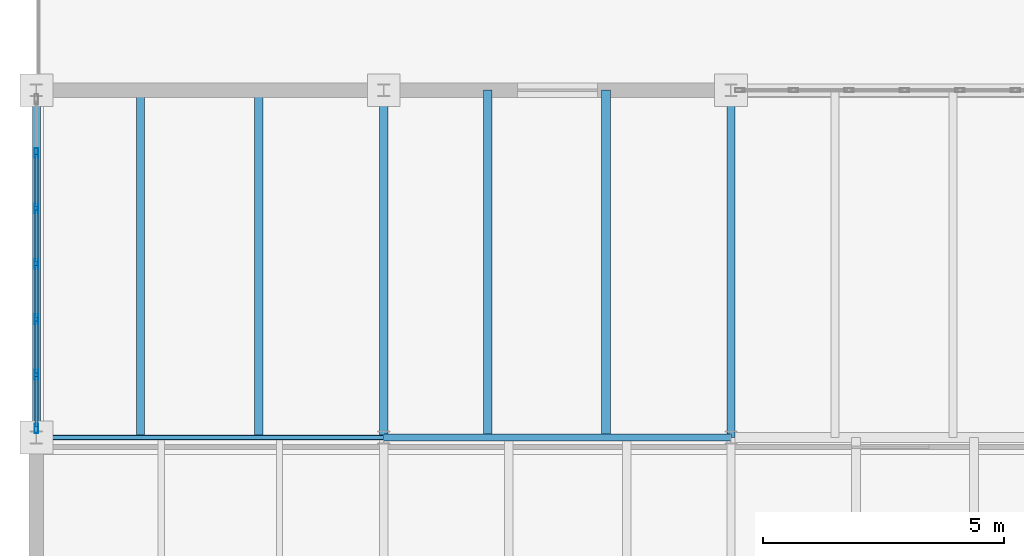
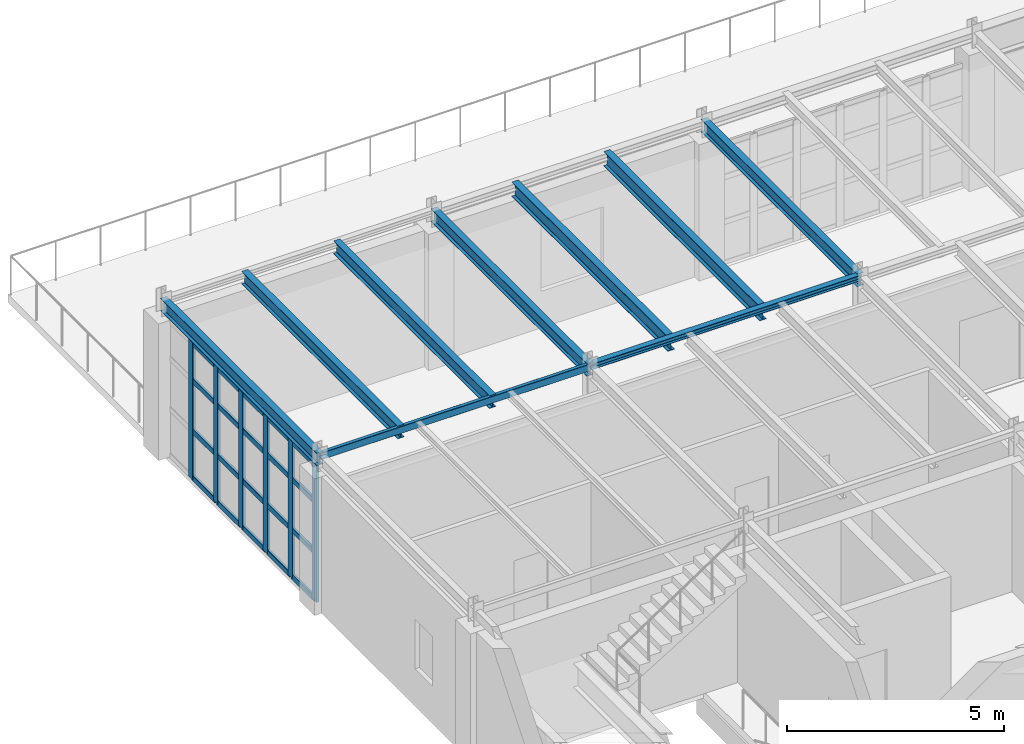
# One storey, part 20 of 36: 26 members, 9 beams, 1 element without a shape of its own.
"""IFC4 building model written with IfcOpenShell, lengths in metres."""

from ifc_helpers import new_model, si_unit, direction, frame, origin, origin_2d, place, context, subcontext, project, spatial, hollow_rectangle, i_section, extrude, material, layer, layer_set, material_profile, profile_set, type_object, element, aggregate, save


model = new_model("IFC4")

# Units and contexts
model_context = context("Model", 3, precision=1e-05, world=origin(), true_north=direction((0.0, 1.0)))
body_context = subcontext(model_context, "Body", "Model", "MODEL_VIEW")
ifc_project = project(units=[si_unit("LENGTHUNIT", "METRE"), si_unit("AREAUNIT", "SQUARE_METRE"), si_unit("VOLUMEUNIT", "CUBIC_METRE"), si_unit("PLANEANGLEUNIT", "RADIAN"), si_unit("MASSUNIT", "GRAM", prefix="KILO")], contexts=[model_context])

# Site, building, storey
site_placement = place(None, origin())
site = spatial("IfcSite", under=ifc_project, at=site_placement, CompositionType="ELEMENT")
building_placement = place(site_placement, origin())
building = spatial("IfcBuilding", under=site, at=building_placement, Name="Kemerveld Promenade Tramway Depot", CompositionType="ELEMENT")
storey_placement = place(building_placement, frame((0.0, 0.0, 14.39990234375)))
storey = spatial("IfcBuildingStorey", under=building, at=storey_placement, Name="L03", CompositionType="ELEMENT", Elevation=14.39990234375)

# Beams
ifc_material_1 = material(Name="Steel S355", Category="steel")
ifc_material_profile_1 = material_profile(ifc_material_1, i_section(OverallWidth=0.172119140625, OverallDepth=0.35791015625, WebThickness=0.008056640625, FlangeThickness=0.012939453125, FilletRadius=0.01025390625, at=origin_2d()), Name="356x171x57 UB")
ifc_profile_set_1 = profile_set([ifc_material_profile_1], Name="Steel S355")
beam_type_1 = type_object("IfcBeamType", Name="BM-G08", PredefinedType="BEAM", material=ifc_profile_set_1)
for number, where, z_axis, x_axis, name in (
    (1, (0.0, 57.60009765625, 4.106201171875), (0.0, 1.0, 0.0), (-1.0, 0.0, 0.0), "BMY-L03-01-J-K"),
    (2, (7.199951171875, 57.60009765625, 4.106201171875), (0.0, 1.0, 0.0), (-1.0, 0.0, 0.0), "BMY-L03-02-J-K"),
    (3, (14.39990234375, 57.60009765625, 4.106201171875), (0.0, 1.0, 0.0), (-1.0, 0.0, 0.0), "BMY-L03-03-J-K"),
):
    element("IfcBeam", number, at=place(storey_placement, frame(where, z_axis=z_axis, x_axis=x_axis)), inside=storey, type_object=beam_type_1, Name=name, PredefinedType="BEAM", context=body_context, shape_type="SweptSolid", body=[
        extrude(i_section(OverallWidth=0.172119140625, OverallDepth=0.35791015625, WebThickness=0.008056640625, FlangeThickness=0.012939453125, FilletRadius=0.01025390625, at=origin_2d()), origin(), (0.0, 0.0, 1.0), 7.199951171875),
    ])
ifc_material_profile_2 = material_profile(ifc_material_1, i_section(OverallWidth=0.172119140625, OverallDepth=0.35791015625, WebThickness=0.008056640625, FlangeThickness=0.012939453125, FilletRadius=0.01025390625, at=origin_2d()), Name="356x171x57 UB")
ifc_profile_set_2 = profile_set([ifc_material_profile_2], Name="Steel S355")
beam_type_2 = type_object("IfcBeamType", Name="BM-J04", PredefinedType="JOIST", material=ifc_profile_set_2)
for number, where, z_axis, x_axis, name in (
    (4, (2.159912109375, 57.60009765625, 4.106201171875), (0.0, 1.0, 0.0), (-1.0, 0.0, 0.0), "JST-L03-01-J-1"),
    (5, (4.60791015625, 57.60009765625, 4.106201171875), (0.0, 1.0, 0.0), (-1.0, 0.0, 0.0), "JST-L03-01-J-2"),
):
    element("IfcBeam", number, at=place(storey_placement, frame(where, z_axis=z_axis, x_axis=x_axis)), inside=storey, type_object=beam_type_2, Name=name, PredefinedType="JOIST", context=body_context, shape_type="SweptSolid", body=[
        extrude(i_section(OverallWidth=0.172119140625, OverallDepth=0.35791015625, WebThickness=0.008056640625, FlangeThickness=0.012939453125, FilletRadius=0.01025390625, at=origin_2d()), origin(), (0.0, 0.0, 1.0), 7.199951171875),
    ])
ifc_material_profile_3 = material_profile(ifc_material_1, i_section(OverallWidth=0.1787109375, OverallDepth=0.409423828125, WebThickness=0.0087890625, FlangeThickness=0.014404296875, FilletRadius=0.01025390625, at=origin_2d()), Name="406x178x67 UB")
ifc_profile_set_3 = profile_set([ifc_material_profile_3], Name="Steel S355")
beam_type_3 = type_object("IfcBeamType", Name="BM-J05", PredefinedType="JOIST", material=ifc_profile_set_3)
for number, where, z_axis, x_axis, name in (
    (6, (9.360107421875, 57.60009765625, 4.080322265625), (0.0, 1.0, 0.0), (-1.0, 0.0, 0.0), "JST-L03-02-J-1"),
    (7, (11.80810546875, 57.60009765625, 4.080322265625), (0.0, 1.0, 0.0), (-1.0, 0.0, 0.0), "JST-L03-02-J-2"),
):
    element("IfcBeam", number, at=place(storey_placement, frame(where, z_axis=z_axis, x_axis=x_axis)), inside=storey, type_object=beam_type_3, Name=name, PredefinedType="JOIST", context=body_context, shape_type="SweptSolid", body=[
        extrude(i_section(OverallWidth=0.1787109375, OverallDepth=0.409423828125, WebThickness=0.0087890625, FlangeThickness=0.014404296875, FilletRadius=0.01025390625, at=origin_2d()), origin(), (0.0, 0.0, 1.0), 7.199951171875),
    ])
ifc_material_profile_4 = material_profile(ifc_material_1, hollow_rectangle(XDim=0.10009765625, YDim=0.199951171875, WallThickness=0.008056640625, InnerFilletRadius=0.00390625, OuterFilletRadius=0.011962890625, at=origin_2d()), Name="200x100x8.0 RHS")
ifc_profile_set_4 = profile_set([ifc_material_profile_4], Name="Steel S355")
beam_type_4 = type_object("IfcBeamType", Name="BM-LN1", PredefinedType="LINTEL", material=ifc_profile_set_4)
beam_1_placement = place(storey_placement, frame((0.0, 57.60009765625, 4.18505859375), z_axis=(1.0, 0.0, 0.0), x_axis=(0.0, 1.0, 0.0)))
element("IfcBeam", 8, at=beam_1_placement, inside=storey, type_object=beam_type_4, Name="BMX-L03-01-02-J", PredefinedType="LINTEL", context=body_context, shape_type="SweptSolid", body=[
    extrude(hollow_rectangle(XDim=0.10009765625, YDim=0.199951171875, WallThickness=0.008056640625, InnerFilletRadius=0.00390625, OuterFilletRadius=0.011962890625, at=origin_2d()), origin(), (0.0, 0.0, 1.0), 7.199951171875),
])
ifc_material_profile_5 = material_profile(ifc_material_1, i_section(OverallWidth=0.154296875, OverallDepth=0.161865234375, WebThickness=0.008056640625, FlangeThickness=0.011474609375, FilletRadius=0.007568359375, at=origin_2d()), Name="152x152x37 UC")
ifc_profile_set_5 = profile_set([ifc_material_profile_5], Name="Steel S355")
beam_type_5 = type_object("IfcBeamType", Name="BM-LN2", PredefinedType="LINTEL", material=ifc_profile_set_5)
beam_2_placement = place(storey_placement, frame((7.199951171875, 57.60009765625, 4.2041015625), z_axis=(1.0, 0.0, 0.0), x_axis=(0.0, 1.0, 0.0)))
element("IfcBeam", 9, at=beam_2_placement, inside=storey, type_object=beam_type_5, Name="BMX-L03-02-03-J", PredefinedType="LINTEL", context=body_context, shape_type="SweptSolid", body=[
    extrude(i_section(OverallWidth=0.154296875, OverallDepth=0.161865234375, WebThickness=0.008056640625, FlangeThickness=0.011474609375, FilletRadius=0.007568359375, at=origin_2d()), origin(), (0.0, 0.0, 1.0), 7.199951171875),
])

# Curtain wall, members
ifc_material_2 = material(Name="Bronze anodised aluminium and solar glass", Category="aluminium")
ifc_layer = layer(ifc_material_2, 0.199951171875)
ifc_layer_set = layer_set([ifc_layer], Name="CW-SYS-12")
curtain_wall_type = type_object("IfcCurtainWallType", Name="CW-SYS-12", PredefinedType="USERDEFINED", material=ifc_layer_set)
curtain_wall_placement = place(storey_placement, origin())
curtain_wall = element("IfcCurtainWall", 10, at=curtain_wall_placement, inside=storey, type_object=curtain_wall_type, Name="CW-L03-V5W-09", ObjectType="GLAZED_CURTAIN_WALL", PredefinedType="USERDEFINED")
ifc_material_3 = material(Name="Bronze anodised aluminium", Category="aluminium")
ifc_material_profile_6 = material_profile(ifc_material_3, hollow_rectangle(XDim=0.074951171875, YDim=0.199951171875, WallThickness=0.0048828125, InnerFilletRadius=0.001953125, OuterFilletRadius=0.0048828125, at=origin_2d()), Name="CW-MUL-200x75")
ifc_profile_set_6 = profile_set([ifc_material_profile_6], Name="Bronze anodised aluminium")
member_type_1 = type_object("IfcMemberType", Name="CW-MUL-B", PredefinedType="MULLION", material=ifc_profile_set_6)
member_1_placement = place(storey_placement, frame((0.0, 57.78759765625, 0.0), z_axis=(0.0, 0.0, 1.0), x_axis=(-1.0, 0.0, 0.0)))
member_1 = element("IfcMember", 11, at=member_1_placement, type_object=member_type_1, Name="CW12 mullion 1", PredefinedType="MULLION", context=body_context, shape_type="SweptSolid", body=[
    extrude(hollow_rectangle(XDim=0.074951171875, YDim=0.199951171875, WallThickness=0.0048828125, InnerFilletRadius=0.001953125, OuterFilletRadius=0.0048828125, at=origin_2d()), origin(), (0.0, 0.0, 1.0), 3.85009765625),
])
member_2_placement = place(storey_placement, frame((0.0, 58.900146484375, 0.0), z_axis=(0.0, 0.0, 1.0), x_axis=(-1.0, 0.0, 0.0)))
member_2 = element("IfcMember", 12, at=member_2_placement, type_object=member_type_1, Name="CW12 mullion 2", PredefinedType="MULLION", context=body_context, shape_type="SweptSolid", body=[
    extrude(hollow_rectangle(XDim=0.074951171875, YDim=0.199951171875, WallThickness=0.0048828125, InnerFilletRadius=0.001953125, OuterFilletRadius=0.0048828125, at=origin_2d()), origin(), (0.0, 0.0, 1.0), 3.85009765625),
])
member_3_placement = place(storey_placement, frame((0.0, 60.050048828125, 0.0), z_axis=(0.0, 0.0, 1.0), x_axis=(-1.0, 0.0, 0.0)))
member_3 = element("IfcMember", 13, at=member_3_placement, type_object=member_type_1, Name="CW12 mullion 3", PredefinedType="MULLION", context=body_context, shape_type="SweptSolid", body=[
    extrude(hollow_rectangle(XDim=0.074951171875, YDim=0.199951171875, WallThickness=0.0048828125, InnerFilletRadius=0.001953125, OuterFilletRadius=0.0048828125, at=origin_2d()), origin(), (0.0, 0.0, 1.0), 3.85009765625),
])
member_4_placement = place(storey_placement, frame((0.0, 61.199951171875, 0.0), z_axis=(0.0, 0.0, 1.0), x_axis=(-1.0, 0.0, 0.0)))
member_4 = element("IfcMember", 14, at=member_4_placement, type_object=member_type_1, Name="CW12 mullion 4", PredefinedType="MULLION", context=body_context, shape_type="SweptSolid", body=[
    extrude(hollow_rectangle(XDim=0.074951171875, YDim=0.199951171875, WallThickness=0.0048828125, InnerFilletRadius=0.001953125, OuterFilletRadius=0.0048828125, at=origin_2d()), origin(), (0.0, 0.0, 1.0), 3.85009765625),
])
member_5_placement = place(storey_placement, frame((0.0, 62.349853515625, 0.0), z_axis=(0.0, 0.0, 1.0), x_axis=(-1.0, 0.0, 0.0)))
member_5 = element("IfcMember", 15, at=member_5_placement, type_object=member_type_1, Name="CW12 mullion 5", PredefinedType="MULLION", context=body_context, shape_type="SweptSolid", body=[
    extrude(hollow_rectangle(XDim=0.074951171875, YDim=0.199951171875, WallThickness=0.0048828125, InnerFilletRadius=0.001953125, OuterFilletRadius=0.0048828125, at=origin_2d()), origin(), (0.0, 0.0, 1.0), 3.85009765625),
])
member_6_placement = place(storey_placement, frame((0.0, 63.5, 0.0), z_axis=(0.0, 0.0, 1.0), x_axis=(-1.0, 0.0, 0.0)))
member_6 = element("IfcMember", 16, at=member_6_placement, type_object=member_type_1, Name="CW12 mullion 6", PredefinedType="MULLION", context=body_context, shape_type="SweptSolid", body=[
    extrude(hollow_rectangle(XDim=0.074951171875, YDim=0.199951171875, WallThickness=0.0048828125, InnerFilletRadius=0.001953125, OuterFilletRadius=0.0048828125, at=origin_2d()), origin(), (0.0, 0.0, 1.0), 3.85009765625),
])
ifc_material_profile_7 = material_profile(ifc_material_3, hollow_rectangle(XDim=0.06494140625, YDim=0.14990234375, WallThickness=0.00439453125, InnerFilletRadius=0.001953125, OuterFilletRadius=0.00439453125, at=origin_2d()), Name="CW-TRN-150x65")
ifc_profile_set_7 = profile_set([ifc_material_profile_7], Name="Bronze anodised aluminium")
member_type_2 = type_object("IfcMemberType", Name="CW-TRN-B", PredefinedType="USERDEFINED", material=ifc_profile_set_7)
member_7_placement = place(storey_placement, frame((0.0, 57.8251953125, 0.03271484375), z_axis=(0.0, 1.0, 0.0), x_axis=(-1.0, 0.0, 0.0)))
member_7 = element("IfcMember", 17, at=member_7_placement, type_object=member_type_2, Name="CW12 transom 1.1", ObjectType="TRANSOM", PredefinedType="USERDEFINED", context=body_context, shape_type="SweptSolid", body=[
    extrude(hollow_rectangle(XDim=0.06494140625, YDim=0.14990234375, WallThickness=0.00439453125, InnerFilletRadius=0.001953125, OuterFilletRadius=0.00439453125, at=origin_2d()), origin(), (0.0, 0.0, 1.0), 1.037353515625),
])
member_8_placement = place(storey_placement, frame((0.0, 57.8251953125, 1.34814453125), z_axis=(0.0, 1.0, 0.0), x_axis=(-1.0, 0.0, 0.0)))
member_8 = element("IfcMember", 18, at=member_8_placement, type_object=member_type_2, Name="CW12 transom 1.2", ObjectType="TRANSOM", PredefinedType="USERDEFINED", context=body_context, shape_type="SweptSolid", body=[
    extrude(hollow_rectangle(XDim=0.06494140625, YDim=0.14990234375, WallThickness=0.00439453125, InnerFilletRadius=0.001953125, OuterFilletRadius=0.00439453125, at=origin_2d()), origin(), (0.0, 0.0, 1.0), 1.037353515625),
])
member_9_placement = place(storey_placement, frame((0.0, 57.8251953125, 2.772216796875), z_axis=(0.0, 1.0, 0.0), x_axis=(-1.0, 0.0, 0.0)))
member_9 = element("IfcMember", 19, at=member_9_placement, type_object=member_type_2, Name="CW12 transom 1.3", ObjectType="TRANSOM", PredefinedType="USERDEFINED", context=body_context, shape_type="SweptSolid", body=[
    extrude(hollow_rectangle(XDim=0.06494140625, YDim=0.14990234375, WallThickness=0.00439453125, InnerFilletRadius=0.001953125, OuterFilletRadius=0.00439453125, at=origin_2d()), origin(), (0.0, 0.0, 1.0), 1.037353515625),
])
member_10_placement = place(storey_placement, frame((0.0, 57.8251953125, 3.817626953125), z_axis=(0.0, 1.0, 0.0), x_axis=(-1.0, 0.0, 0.0)))
member_10 = element("IfcMember", 20, at=member_10_placement, type_object=member_type_2, Name="CW12 transom 1.4", ObjectType="TRANSOM", PredefinedType="USERDEFINED", context=body_context, shape_type="SweptSolid", body=[
    extrude(hollow_rectangle(XDim=0.06494140625, YDim=0.14990234375, WallThickness=0.00439453125, InnerFilletRadius=0.001953125, OuterFilletRadius=0.00439453125, at=origin_2d()), origin(), (0.0, 0.0, 1.0), 1.037353515625),
])
member_11_placement = place(storey_placement, frame((0.0, 58.9375, 0.03271484375), z_axis=(0.0, 1.0, 0.0), x_axis=(-1.0, 0.0, 0.0)))
member_11 = element("IfcMember", 21, at=member_11_placement, type_object=member_type_2, Name="CW12 transom 2.1", ObjectType="TRANSOM", PredefinedType="USERDEFINED", context=body_context, shape_type="SweptSolid", body=[
    extrude(hollow_rectangle(XDim=0.06494140625, YDim=0.14990234375, WallThickness=0.00439453125, InnerFilletRadius=0.001953125, OuterFilletRadius=0.00439453125, at=origin_2d()), origin(), (0.0, 0.0, 1.0), 1.074951171875),
])
member_12_placement = place(storey_placement, frame((0.0, 58.9375, 1.34814453125), z_axis=(0.0, 1.0, 0.0), x_axis=(-1.0, 0.0, 0.0)))
member_12 = element("IfcMember", 22, at=member_12_placement, type_object=member_type_2, Name="CW12 transom 2.2", ObjectType="TRANSOM", PredefinedType="USERDEFINED", context=body_context, shape_type="SweptSolid", body=[
    extrude(hollow_rectangle(XDim=0.06494140625, YDim=0.14990234375, WallThickness=0.00439453125, InnerFilletRadius=0.001953125, OuterFilletRadius=0.00439453125, at=origin_2d()), origin(), (0.0, 0.0, 1.0), 1.074951171875),
])
member_13_placement = place(storey_placement, frame((0.0, 58.9375, 2.772216796875), z_axis=(0.0, 1.0, 0.0), x_axis=(-1.0, 0.0, 0.0)))
member_13 = element("IfcMember", 23, at=member_13_placement, type_object=member_type_2, Name="CW12 transom 2.3", ObjectType="TRANSOM", PredefinedType="USERDEFINED", context=body_context, shape_type="SweptSolid", body=[
    extrude(hollow_rectangle(XDim=0.06494140625, YDim=0.14990234375, WallThickness=0.00439453125, InnerFilletRadius=0.001953125, OuterFilletRadius=0.00439453125, at=origin_2d()), origin(), (0.0, 0.0, 1.0), 1.074951171875),
])
member_14_placement = place(storey_placement, frame((0.0, 58.9375, 3.817626953125), z_axis=(0.0, 1.0, 0.0), x_axis=(-1.0, 0.0, 0.0)))
member_14 = element("IfcMember", 24, at=member_14_placement, type_object=member_type_2, Name="CW12 transom 2.4", ObjectType="TRANSOM", PredefinedType="USERDEFINED", context=body_context, shape_type="SweptSolid", body=[
    extrude(hollow_rectangle(XDim=0.06494140625, YDim=0.14990234375, WallThickness=0.00439453125, InnerFilletRadius=0.001953125, OuterFilletRadius=0.00439453125, at=origin_2d()), origin(), (0.0, 0.0, 1.0), 1.074951171875),
])
member_15_placement = place(storey_placement, frame((0.0, 60.087646484375, 0.03271484375), z_axis=(0.0, 1.0, 0.0), x_axis=(-1.0, 0.0, 0.0)))
member_15 = element("IfcMember", 25, at=member_15_placement, type_object=member_type_2, Name="CW12 transom 3.1", ObjectType="TRANSOM", PredefinedType="USERDEFINED", context=body_context, shape_type="SweptSolid", body=[
    extrude(hollow_rectangle(XDim=0.06494140625, YDim=0.14990234375, WallThickness=0.00439453125, InnerFilletRadius=0.001953125, OuterFilletRadius=0.00439453125, at=origin_2d()), origin(), (0.0, 0.0, 1.0), 1.074951171875),
])
member_16_placement = place(storey_placement, frame((0.0, 60.087646484375, 1.34814453125), z_axis=(0.0, 1.0, 0.0), x_axis=(-1.0, 0.0, 0.0)))
member_16 = element("IfcMember", 26, at=member_16_placement, type_object=member_type_2, Name="CW12 transom 3.2", ObjectType="TRANSOM", PredefinedType="USERDEFINED", context=body_context, shape_type="SweptSolid", body=[
    extrude(hollow_rectangle(XDim=0.06494140625, YDim=0.14990234375, WallThickness=0.00439453125, InnerFilletRadius=0.001953125, OuterFilletRadius=0.00439453125, at=origin_2d()), origin(), (0.0, 0.0, 1.0), 1.074951171875),
])
member_17_placement = place(storey_placement, frame((0.0, 60.087646484375, 2.772216796875), z_axis=(0.0, 1.0, 0.0), x_axis=(-1.0, 0.0, 0.0)))
member_17 = element("IfcMember", 27, at=member_17_placement, type_object=member_type_2, Name="CW12 transom 3.3", ObjectType="TRANSOM", PredefinedType="USERDEFINED", context=body_context, shape_type="SweptSolid", body=[
    extrude(hollow_rectangle(XDim=0.06494140625, YDim=0.14990234375, WallThickness=0.00439453125, InnerFilletRadius=0.001953125, OuterFilletRadius=0.00439453125, at=origin_2d()), origin(), (0.0, 0.0, 1.0), 1.074951171875),
])
member_18_placement = place(storey_placement, frame((0.0, 60.087646484375, 3.817626953125), z_axis=(0.0, 1.0, 0.0), x_axis=(-1.0, 0.0, 0.0)))
member_18 = element("IfcMember", 28, at=member_18_placement, type_object=member_type_2, Name="CW12 transom 3.4", ObjectType="TRANSOM", PredefinedType="USERDEFINED", context=body_context, shape_type="SweptSolid", body=[
    extrude(hollow_rectangle(XDim=0.06494140625, YDim=0.14990234375, WallThickness=0.00439453125, InnerFilletRadius=0.001953125, OuterFilletRadius=0.00439453125, at=origin_2d()), origin(), (0.0, 0.0, 1.0), 1.074951171875),
])
member_19_placement = place(storey_placement, frame((0.0, 61.237548828125, 0.03271484375), z_axis=(0.0, 1.0, 0.0), x_axis=(-1.0, 0.0, 0.0)))
member_19 = element("IfcMember", 29, at=member_19_placement, type_object=member_type_2, Name="CW12 transom 4.1", ObjectType="TRANSOM", PredefinedType="USERDEFINED", context=body_context, shape_type="SweptSolid", body=[
    extrude(hollow_rectangle(XDim=0.06494140625, YDim=0.14990234375, WallThickness=0.00439453125, InnerFilletRadius=0.001953125, OuterFilletRadius=0.00439453125, at=origin_2d()), origin(), (0.0, 0.0, 1.0), 1.074951171875),
])
member_20_placement = place(storey_placement, frame((0.0, 61.237548828125, 1.34814453125), z_axis=(0.0, 1.0, 0.0), x_axis=(-1.0, 0.0, 0.0)))
member_20 = element("IfcMember", 30, at=member_20_placement, type_object=member_type_2, Name="CW12 transom 4.2", ObjectType="TRANSOM", PredefinedType="USERDEFINED", context=body_context, shape_type="SweptSolid", body=[
    extrude(hollow_rectangle(XDim=0.06494140625, YDim=0.14990234375, WallThickness=0.00439453125, InnerFilletRadius=0.001953125, OuterFilletRadius=0.00439453125, at=origin_2d()), origin(), (0.0, 0.0, 1.0), 1.074951171875),
])
member_21_placement = place(storey_placement, frame((0.0, 61.237548828125, 2.772216796875), z_axis=(0.0, 1.0, 0.0), x_axis=(-1.0, 0.0, 0.0)))
member_21 = element("IfcMember", 31, at=member_21_placement, type_object=member_type_2, Name="CW12 transom 4.3", ObjectType="TRANSOM", PredefinedType="USERDEFINED", context=body_context, shape_type="SweptSolid", body=[
    extrude(hollow_rectangle(XDim=0.06494140625, YDim=0.14990234375, WallThickness=0.00439453125, InnerFilletRadius=0.001953125, OuterFilletRadius=0.00439453125, at=origin_2d()), origin(), (0.0, 0.0, 1.0), 1.074951171875),
])
member_22_placement = place(storey_placement, frame((0.0, 61.237548828125, 3.817626953125), z_axis=(0.0, 1.0, 0.0), x_axis=(-1.0, 0.0, 0.0)))
member_22 = element("IfcMember", 32, at=member_22_placement, type_object=member_type_2, Name="CW12 transom 4.4", ObjectType="TRANSOM", PredefinedType="USERDEFINED", context=body_context, shape_type="SweptSolid", body=[
    extrude(hollow_rectangle(XDim=0.06494140625, YDim=0.14990234375, WallThickness=0.00439453125, InnerFilletRadius=0.001953125, OuterFilletRadius=0.00439453125, at=origin_2d()), origin(), (0.0, 0.0, 1.0), 1.074951171875),
])
member_23_placement = place(storey_placement, frame((0.0, 62.387451171875, 0.03271484375), z_axis=(0.0, 1.0, 0.0), x_axis=(-1.0, 0.0, 0.0)))
member_23 = element("IfcMember", 33, at=member_23_placement, type_object=member_type_2, Name="CW12 transom 5.1", ObjectType="TRANSOM", PredefinedType="USERDEFINED", context=body_context, shape_type="SweptSolid", body=[
    extrude(hollow_rectangle(XDim=0.06494140625, YDim=0.14990234375, WallThickness=0.00439453125, InnerFilletRadius=0.001953125, OuterFilletRadius=0.00439453125, at=origin_2d()), origin(), (0.0, 0.0, 1.0), 1.074951171875),
])
member_24_placement = place(storey_placement, frame((0.0, 62.387451171875, 1.34814453125), z_axis=(0.0, 1.0, 0.0), x_axis=(-1.0, 0.0, 0.0)))
member_24 = element("IfcMember", 34, at=member_24_placement, type_object=member_type_2, Name="CW12 transom 5.2", ObjectType="TRANSOM", PredefinedType="USERDEFINED", context=body_context, shape_type="SweptSolid", body=[
    extrude(hollow_rectangle(XDim=0.06494140625, YDim=0.14990234375, WallThickness=0.00439453125, InnerFilletRadius=0.001953125, OuterFilletRadius=0.00439453125, at=origin_2d()), origin(), (0.0, 0.0, 1.0), 1.074951171875),
])
member_25_placement = place(storey_placement, frame((0.0, 62.387451171875, 2.772216796875), z_axis=(0.0, 1.0, 0.0), x_axis=(-1.0, 0.0, 0.0)))
member_25 = element("IfcMember", 35, at=member_25_placement, type_object=member_type_2, Name="CW12 transom 5.3", ObjectType="TRANSOM", PredefinedType="USERDEFINED", context=body_context, shape_type="SweptSolid", body=[
    extrude(hollow_rectangle(XDim=0.06494140625, YDim=0.14990234375, WallThickness=0.00439453125, InnerFilletRadius=0.001953125, OuterFilletRadius=0.00439453125, at=origin_2d()), origin(), (0.0, 0.0, 1.0), 1.074951171875),
])
member_26_placement = place(storey_placement, frame((0.0, 62.387451171875, 3.817626953125), z_axis=(0.0, 1.0, 0.0), x_axis=(-1.0, 0.0, 0.0)))
member_26 = element("IfcMember", 36, at=member_26_placement, type_object=member_type_2, Name="CW12 transom 5.4", ObjectType="TRANSOM", PredefinedType="USERDEFINED", context=body_context, shape_type="SweptSolid", body=[
    extrude(hollow_rectangle(XDim=0.06494140625, YDim=0.14990234375, WallThickness=0.00439453125, InnerFilletRadius=0.001953125, OuterFilletRadius=0.00439453125, at=origin_2d()), origin(), (0.0, 0.0, 1.0), 1.074951171875),
])
aggregate(curtain_wall, [member_1, member_2, member_3, member_4, member_5, member_6, member_7, member_8, member_9, member_10, member_11, member_12, member_13, member_14, member_15, member_16, member_17, member_18, member_19, member_20, member_21, member_22, member_23, member_24, member_25, member_26])

save(model, "model.ifc")
